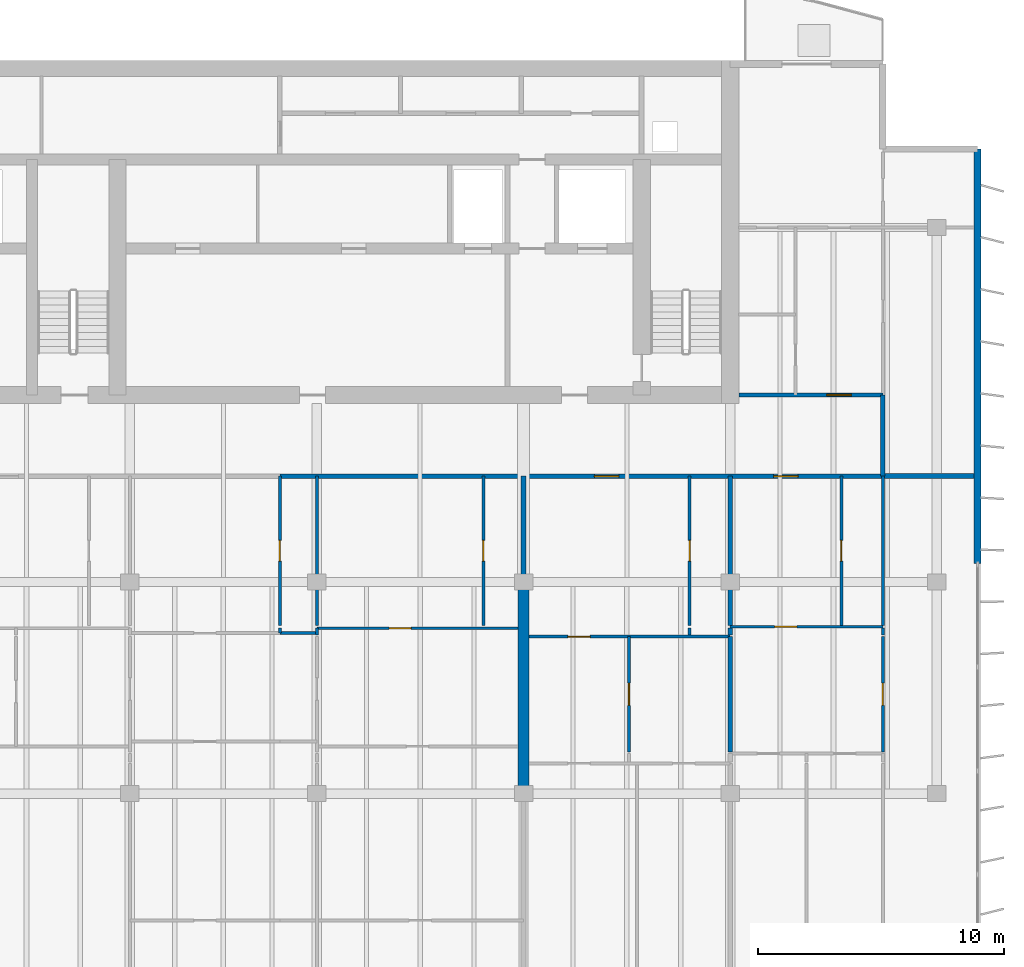
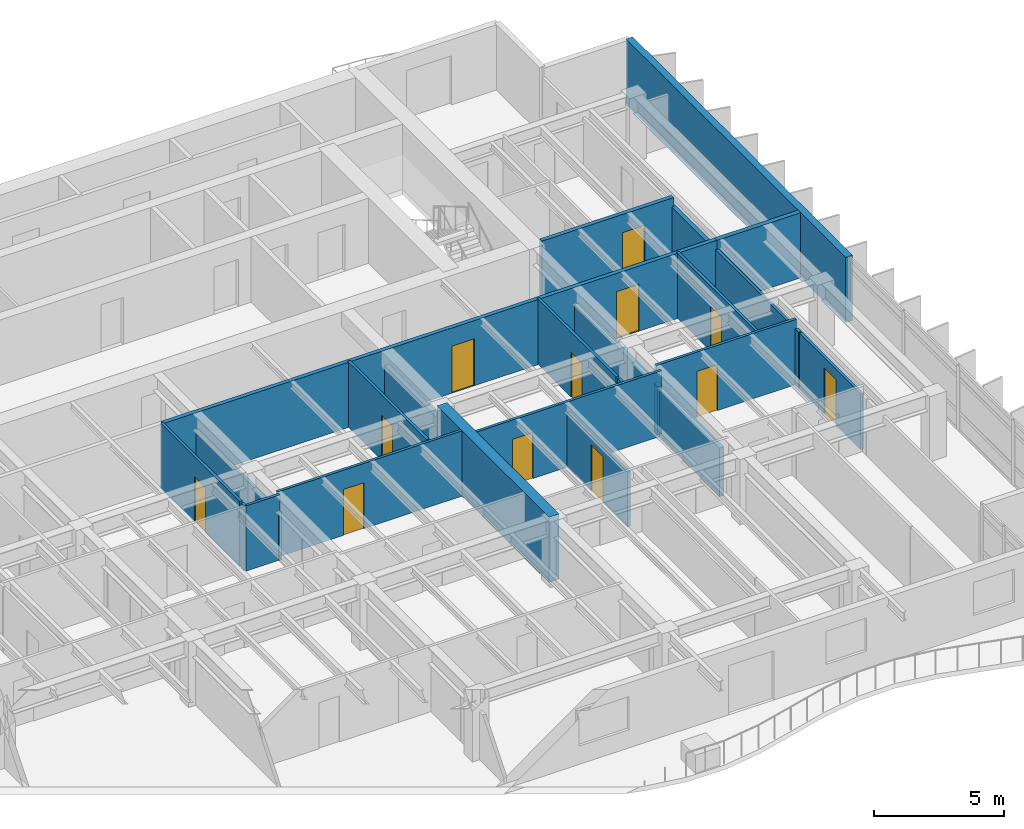
# One storey, part 9 of 17: 26 walls, 12 doors, 12 openings.
"""IFC4 building model written with IfcOpenShell, lengths in metres."""

import ifcopenshell
import ifcopenshell.guid

model = None  # the IFC model being written
_history = None  # IfcOwnerHistory: only IFC2X3 demands one
_inside = {}  # id of a spatial element -> (the spatial element, [elements in it])
_under = {}  # id of a project, library or spatial element -> (it, [spatial elements below it])
_declared = {}  # id of a project -> (the project, [libraries it declares])
_typed = {}  # id of a type object -> (the type object, [elements of that type])
_made_of = {}  # id of a material, layer set ... -> (it, [elements and type objects made of it])


def new_model(schema):
    """Start an empty IFC model of exactly this schema.

    Asked for "IFC4X3", IfcOpenShell would pick the latest addendum, in which some entities
    have other attributes; the version numbers below select the first issue.
    IFC2X3 requires an IfcOwnerHistory on every rooted entity: one is made here for all.
    """
    global model, _history
    if schema == "IFC4X3":
        model = ifcopenshell.file(schema_version=(4, 3, 0, 0))
    else:
        model = ifcopenshell.file(schema=schema)
    _inside.clear()
    _under.clear()
    _declared.clear()
    _typed.clear()
    _made_of.clear()
    _history = None
    if model.schema == "IFC2X3":
        org = make("IfcOrganization", Name="unknown")
        user = make(
            "IfcPersonAndOrganization",
            ThePerson=make("IfcPerson", FamilyName="unknown"),
            TheOrganization=org,
        )
        app = make(
            "IfcApplication",
            ApplicationDeveloper=org,
            Version="unknown",
            ApplicationFullName="unknown",
            ApplicationIdentifier="unknown",
        )
        _history = make(
            "IfcOwnerHistory",
            OwningUser=user,
            OwningApplication=app,
            ChangeAction="ADDED",
            CreationDate=0,
        )
    return model


def make(cls, **values):
    """One entity of the class cls with the attributes given. An attribute that is None is left unset."""
    return model.create_entity(
        cls, **{name: value for name, value in values.items() if value is not None}
    )


def rooted(cls, **values):
    """An entity with a GlobalId (a new one), such as an element, a storey or a relation."""
    return make(cls, GlobalId=ifcopenshell.guid.new(), OwnerHistory=_history, **values)


def si_unit(unit_type, name, prefix=None):
    """IfcSIUnit, for example si_unit("LENGTHUNIT", "METRE", prefix="MILLI")."""
    return make("IfcSIUnit", UnitType=unit_type, Prefix=prefix, Name=name)


def assignment(units):
    """IfcUnitAssignment: the units of a project."""
    return None if units is None else make("IfcUnitAssignment", Units=units)


def point(xyz):
    """IfcCartesianPoint."""
    return None if xyz is None else make("IfcCartesianPoint", Coordinates=xyz)


def direction(xyz):
    """IfcDirection."""
    return None if xyz is None else make("IfcDirection", DirectionRatios=xyz)


def frame(location, z_axis=None, x_axis=None):
    """IfcAxis2Placement3D, a coordinate frame: its origin and axes. An axis left out is left unset."""
    return make(
        "IfcAxis2Placement3D",
        Location=point(location),
        Axis=direction(z_axis),
        RefDirection=direction(x_axis),
    )


def frame_2d(location, x_axis=None):
    """IfcAxis2Placement2D, a coordinate frame in the plane: its origin and x axis."""
    return make(
        "IfcAxis2Placement2D", Location=point(location), RefDirection=direction(x_axis)
    )


def origin():
    """The frame at (0, 0, 0) with its axes left unset."""
    return frame((0.0, 0.0, 0.0))


def place(relative_to, where):
    """IfcLocalPlacement: puts the frame where relative to a parent placement (None: the world)."""
    return make(
        "IfcLocalPlacement", PlacementRelTo=relative_to, RelativePlacement=where
    )


def context(
    kind, dimensions, precision=None, world=None, true_north=None, identifier=None
):
    """IfcGeometricRepresentationContext, for example the 3D "Model" context."""
    return make(
        "IfcGeometricRepresentationContext",
        ContextIdentifier=identifier,
        ContextType=kind,
        CoordinateSpaceDimension=dimensions,
        Precision=precision,
        WorldCoordinateSystem=world,
        TrueNorth=true_north,
    )


def subcontext(parent, identifier, kind, view, scale=None):
    """IfcGeometricRepresentationSubContext, for example "Body" below "Model"."""
    return make(
        "IfcGeometricRepresentationSubContext",
        ContextIdentifier=identifier,
        ContextType=kind,
        ParentContext=parent,
        TargetScale=scale,
        TargetView=view,
    )


def project(units=None, contexts=None):
    """IfcProject with its units and contexts."""
    return rooted(
        "IfcProject",
        Name="project",
        RepresentationContexts=contexts,
        UnitsInContext=assignment(units),
    )


def spatial(cls, under=None, at=None, **own):
    """A site, building, storey or space (cls), placed at a placement, below another one or the project."""
    s = rooted(cls, ObjectPlacement=at, **own)
    if under is not None:
        _under.setdefault(under.id(), (under, []))[1].append(s)
    return s


def profile(cls, at=None, kind="AREA", **sizes):
    """A parametric profile (cls). Its sizes go by their IFC names, for example OverallWidth=200.0."""
    return make(cls, ProfileType=kind, Position=at, **sizes)


def rectangle(**sizes):
    """IfcRectangleProfileDef."""
    return profile("IfcRectangleProfileDef", **sizes)


def extrude(swept, where, along, depth):
    """IfcExtrudedAreaSolid: the profile swept, set in the frame where, extruded along a direction by depth."""
    return make(
        "IfcExtrudedAreaSolid",
        SweptArea=swept,
        Position=where,
        ExtrudedDirection=direction(along),
        Depth=depth,
    )


def shape(context_of_items, identifier, shape_type, items):
    """IfcShapeRepresentation: the items that make up one representation, for example the "Body"."""
    return make(
        "IfcShapeRepresentation",
        ContextOfItems=context_of_items,
        RepresentationIdentifier=identifier,
        RepresentationType=shape_type,
        Items=items,
    )


def material(Name=None, Category=None):
    """IfcMaterial."""
    return make("IfcMaterial", Name=Name, Category=Category)


def layer(
    of_material, thickness, ventilated=None, Name=None, Category=None, Priority=None
):
    """IfcMaterialLayer: one layer of a wall or slab, of a material (None: an air gap)."""
    return make(
        "IfcMaterialLayer",
        Material=of_material,
        LayerThickness=thickness,
        IsVentilated=ventilated,
        Name=Name,
        Category=Category,
        Priority=Priority,
    )


def layer_set(layers, Name=None):
    """IfcMaterialLayerSet."""
    return make("IfcMaterialLayerSet", MaterialLayers=layers, LayerSetName=Name)


def made_of(thing, what):
    """Note that an element or type object is made of a material, layer set ...; save() writes the relation."""
    if what is not None:
        _made_of.setdefault(what.id(), (what, []))[1].append(thing)
    return thing


def type_object(cls, material=None, **own):
    """A type object (cls), such as IfcWallType, which elements share."""
    return made_of(rooted(cls, **own), material)


def element(
    cls,
    number,
    at=None,
    inside=None,
    cuts=None,
    type_object=None,
    material=None,
    context=None,
    identifier="Body",
    shape_type=None,
    held_by="IfcProductDefinitionShape",
    body=None,
    shapes=None,
    **own,
):
    """One element of the class cls, such as IfcWall. Its Tag is "e" and its number.

    at: its placement. inside: the storey or other place that contains it. cuts: it is an
    opening in that element (IfcRelVoidsElement). A single representation is given by context,
    identifier, shape_type and body (its items); several are given by shapes. held_by: the class
    of the entity that holds the representations. save() writes the other relations.
    """
    e = rooted(cls, Tag="e%d" % number, ObjectPlacement=at, **own)
    if body is not None:
        shapes = [shape(context, identifier, shape_type, body)]
    if shapes is not None:
        e.Representation = make(held_by, Representations=shapes)
    if inside is not None:
        _inside.setdefault(inside.id(), (inside, []))[1].append(e)
    if cuts is not None:
        rooted(
            "IfcRelVoidsElement", RelatingBuildingElement=cuts, RelatedOpeningElement=e
        )
    if type_object is not None:
        _typed.setdefault(type_object.id(), (type_object, []))[1].append(e)
    return made_of(e, material)


def fill(opening, filler):
    """IfcRelFillsElement: the door or window that sits in an opening."""
    return rooted(
        "IfcRelFillsElement",
        RelatingOpeningElement=opening,
        RelatedBuildingElement=filler,
    )


def aggregate(whole, parts):
    """IfcRelAggregates: a whole, such as a stair, and the parts it consists of."""
    return rooted("IfcRelAggregates", RelatingObject=whole, RelatedObjects=parts)


def save(model, path):
    """Write the relations noted so far, then the file.

    IfcRelAggregates (storeys below a building ...), IfcRelContainedInSpatialStructure (elements
    in a storey), IfcRelDefinesByType, IfcRelAssociatesMaterial and IfcRelDeclares: one each for
    every whole, place, type object, material and project.
    """
    for whole, parts in _under.values():
        aggregate(whole, parts)
    for where, things in _inside.values():
        rooted(
            "IfcRelContainedInSpatialStructure",
            RelatedElements=things,
            RelatingStructure=where,
        )
    for kind, things in _typed.values():
        rooted("IfcRelDefinesByType", RelatedObjects=things, RelatingType=kind)
    for what, things in _made_of.values():
        rooted("IfcRelAssociatesMaterial", RelatedObjects=things, RelatingMaterial=what)
    for by, libraries in _declared.values():
        rooted("IfcRelDeclares", RelatingContext=by, RelatedDefinitions=libraries)
    model.write(path)


model = new_model("IFC4")

# Units and contexts
model_context = context("Model", 3, precision=1e-05, world=origin(), true_north=direction((0.0, 1.0)))
body_context = subcontext(model_context, "Body", "Model", "MODEL_VIEW")
ifc_project = project(units=[si_unit("LENGTHUNIT", "METRE"), si_unit("AREAUNIT", "SQUARE_METRE"), si_unit("VOLUMEUNIT", "CUBIC_METRE"), si_unit("PLANEANGLEUNIT", "RADIAN"), si_unit("MASSUNIT", "GRAM", prefix="KILO")], contexts=[model_context])

# Site, building, storey
site_placement = place(None, origin())
site = spatial("IfcSite", under=ifc_project, at=site_placement, CompositionType="ELEMENT")
building_placement = place(site_placement, origin())
building = spatial("IfcBuilding", under=site, at=building_placement, Name="Caelmar Bay Residences", CompositionType="ELEMENT")
storey_placement = place(building_placement, frame((0.0, 0.0, 246.300048828125)))
storey = spatial("IfcBuildingStorey", under=building, at=storey_placement, Name="L69", CompositionType="ELEMENT", Elevation=246.300048828125)

# Walls
ifc_material_1 = material(Name="Concrete f'c 55 MPa (8,000 psi)", Category="concrete")
ifc_layer_1 = layer(ifc_material_1, 0.449951171875)
ifc_layer_set_1 = layer_set([ifc_layer_1], Name="Concrete f'c 55 MPa (8,000 psi)")
wall_type_1 = type_object("IfcWallType", Name="SW-XSLB-450", PredefinedType="SHEAR", material=ifc_layer_set_1)
wall_1_placement = place(storey_placement, frame((51.10009765625, 20.800048828125, 0.0), z_axis=(0.0, 0.0, 1.0), x_axis=(0.0, 1.0, 0.0)))
element("IfcWall", 1, at=wall_1_placement, inside=storey, type_object=wall_type_1, Name="L69 Transverse Cross-Slab Shear Wall E8", PredefinedType="SHEAR", context=body_context, shape_type="SweptSolid", body=[
    extrude(rectangle(XDim=8.599853515625, YDim=0.449951171875, at=frame_2d((4.2998046875, 0.0))), origin(), (0.0, 0.0, 1.0), 3.050048828125),
])
ifc_material_2 = material(Name="Double-stud acoustic fire-rated gypsum partition 180 mm")
ifc_layer_2 = layer(ifc_material_2, 0.179931640625)
ifc_layer_set_2 = layer_set([ifc_layer_2], Name="Double-stud acoustic fire-rated gypsum partition 180 mm")
wall_type_2 = type_object("IfcWallType", Name="W-COR-200", PredefinedType="PARTITIONING", material=ifc_layer_set_2)
wall_2_placement = place(storey_placement, frame((65.699951171875, 33.705078125, 0.0), z_axis=(0.0, 0.0, 1.0), x_axis=(0.0, 1.0, 0.0)))
element("IfcWall", 2, at=wall_2_placement, inside=storey, type_object=wall_type_2, Name="L69 Partition Wall V087", PredefinedType="PARTITIONING", context=body_context, shape_type="SweptSolid", body=[
    extrude(rectangle(XDim=3.294921875, YDim=0.179931640625, at=frame_2d((1.6474609375, 0.0))), origin(), (0.0, 0.0, 1.0), 2.62890625),
])

# Wall, openings, doors
wall_3_placement = place(storey_placement, frame((41.199951171875, 33.699951171875, 0.0), z_axis=(0.0, 0.0, 1.0), x_axis=(1.0, 0.0, 0.0)))
wall_3 = element("IfcWall", 3, at=wall_3_placement, inside=storey, type_object=wall_type_2, Name="L69 Partition Wall H112", PredefinedType="PARTITIONING", context=body_context, shape_type="SweptSolid", body=[
    extrude(rectangle(XDim=24.5, YDim=0.179931640625, at=frame_2d((12.25, 0.0))), origin(), (0.0, 0.0, 1.0), 3.050048828125),
])
opening_1_placement = place(wall_3_placement, frame((12.77490234375, 0.0, 0.0)))
opening_1 = element("IfcOpeningElement", 4, at=opening_1_placement, cuts=wall_3, Name="Opening D-L69-149", PredefinedType="OPENING", context=body_context, shape_type="SweptSolid", body=[
    extrude(rectangle(XDim=1.0, YDim=2.199951171875, at=frame_2d((0.5, 1.10009765625))), frame((0.0, 0.099853515625, 0.0), z_axis=(0.0, -1.0, 0.0), x_axis=(1.0, 0.0, 0.0)), (0.0, 0.0, 1.0), 0.199951171875),
])
opening_2_placement = place(wall_3_placement, frame((20.05859375, 0.0, 0.0)))
opening_2 = element("IfcOpeningElement", 5, at=opening_2_placement, cuts=wall_3, Name="Opening D-L69-155", PredefinedType="OPENING", context=body_context, shape_type="SweptSolid", body=[
    extrude(rectangle(XDim=1.0, YDim=2.199951171875, at=frame_2d((0.5, 1.10009765625))), frame((0.0, 0.099853515625, 0.0), z_axis=(0.0, -1.0, 0.0), x_axis=(1.0, 0.0, 0.0)), (0.0, 0.0, 1.0), 0.199951171875),
])
ifc_material_3 = material(Name="Fire-rated steel and walnut architectural door assembly", Category="steel")
ifc_layer_3 = layer(ifc_material_3, 0.050048828125)
ifc_layer_set_3 = layer_set([ifc_layer_3], Name="Fire-rated steel and walnut architectural door assembly")
door_type_1 = type_object("IfcDoorType", Name="D-UNIT-1000", OperationType="NOTDEFINED", PredefinedType="DOOR", material=ifc_layer_set_3)
door_1_placement = place(opening_1_placement, origin())
door_1 = element("IfcDoor", 6, at=door_1_placement, inside=storey, type_object=door_type_1, Name="L69 Residence 04 Apartment Hall Door", OperationType="SINGLE_SWING_RIGHT", OverallHeight=2.199951171875, OverallWidth=1.0, PredefinedType="DOOR", context=body_context, shape_type="SweptSolid", body=[
    extrude(rectangle(XDim=1.0, YDim=2.199951171875, at=frame_2d((0.5, 1.10009765625))), frame((0.0, 0.02490234375, 0.0), z_axis=(0.0, -1.0, 0.0), x_axis=(1.0, 0.0, 0.0)), (0.0, 0.0, 1.0), 0.050048828125),
])
fill(opening_1, door_1)
door_2_placement = place(opening_2_placement, origin())
door_2 = element("IfcDoor", 7, at=door_2_placement, inside=storey, type_object=door_type_1, Name="L69 Residence 05 Apartment Hall Door", OperationType="SINGLE_SWING_RIGHT", OverallHeight=2.199951171875, OverallWidth=1.0, PredefinedType="DOOR", context=body_context, shape_type="SweptSolid", body=[
    extrude(rectangle(XDim=1.0, YDim=2.199951171875, at=frame_2d((0.5, 1.10009765625))), frame((0.0, 0.02490234375, 0.0), z_axis=(0.0, -1.0, 0.0), x_axis=(1.0, 0.0, 0.0)), (0.0, 0.0, 1.0), 0.050048828125),
])
fill(opening_2, door_2)

# Wall, opening, door
wall_4_placement = place(storey_placement, frame((59.85498046875, 37.0, 0.0), z_axis=(0.0, 0.0, 1.0), x_axis=(1.0, 0.0, 0.0)))
wall_4 = element("IfcWall", 8, at=wall_4_placement, inside=storey, type_object=wall_type_2, Name="L69 Partition Wall H116", PredefinedType="PARTITIONING", context=body_context, shape_type="SweptSolid", body=[
    extrude(rectangle(XDim=5.844970703125, YDim=0.179931640625, at=frame_2d((2.92236328125, 0.0))), origin(), (0.0, 0.0, 1.0), 3.050048828125),
])
opening_3_placement = place(wall_4_placement, frame((3.570068359375, 0.0, 0.0)))
opening_3 = element("IfcOpeningElement", 9, at=opening_3_placement, cuts=wall_4, Name="Opening D-L69-168", PredefinedType="OPENING", context=body_context, shape_type="SweptSolid", body=[
    extrude(rectangle(XDim=1.0, YDim=2.199951171875, at=frame_2d((0.5, 1.10009765625))), frame((0.0, 0.099853515625, 0.0), z_axis=(0.0, -1.0, 0.0), x_axis=(1.0, 0.0, 0.0)), (0.0, 0.0, 1.0), 0.199951171875),
])
door_3_placement = place(opening_3_placement, origin())
door_3 = element("IfcDoor", 10, at=door_3_placement, inside=storey, type_object=door_type_1, Name="L69 Residence EA Kitchen Door", OperationType="SINGLE_SWING_LEFT", OverallHeight=2.199951171875, OverallWidth=1.0, PredefinedType="DOOR", context=body_context, shape_type="SweptSolid", body=[
    extrude(rectangle(XDim=1.0, YDim=2.199951171875, at=frame_2d((0.5, 1.10009765625))), frame((0.0, 0.02490234375, 0.0), z_axis=(0.0, -1.0, 0.0), x_axis=(1.0, 0.0, 0.0)), (0.0, 0.0, 1.0), 0.050048828125),
])
fill(opening_3, door_3)

# Walls
ifc_material_4 = material(Name="Precast concrete f'c 40 MPa (6,000 psi)", Category="concrete")
ifc_layer_4 = layer(ifc_material_4, 0.300048828125)
ifc_layer_set_4 = layer_set([ifc_layer_4], Name="Precast concrete f'c 40 MPa (6,000 psi)")
wall_type_3 = type_object("IfcWallType", Name="W-EXT-300", PredefinedType="STANDARD", material=ifc_layer_set_4)
wall_5_placement = place(storey_placement, frame((69.550048828125, 47.0, 0.0), z_axis=(0.0, 0.0, 1.0), x_axis=(0.0, -1.0, 0.0)))
element("IfcWall", 11, at=wall_5_placement, inside=storey, type_object=wall_type_3, Name="L69 East Rear Exterior Wall", PredefinedType="STANDARD", context=body_context, shape_type="SweptSolid", body=[
    extrude(rectangle(XDim=16.85009765625, YDim=0.300048828125, at=frame_2d((8.425048828125, 0.0))), origin(), (0.0, 0.0, 1.0), 3.050048828125),
])
ifc_material_5 = material(Name="Acoustic metal-stud gypsum partition 120 mm")
ifc_layer_5 = layer(ifc_material_5, 0.1201171875)
ifc_layer_set_5 = layer_set([ifc_layer_5], Name="Acoustic metal-stud gypsum partition 120 mm")
wall_type_4 = type_object("IfcWallType", Name="W-PRT-120", PredefinedType="PARTITIONING", material=ifc_layer_set_5)
wall_6_placement = place(storey_placement, frame((41.195068359375, 27.320068359375, 0.0), z_axis=(0.0, 0.0, 1.0), x_axis=(0.0, 1.0, 0.0)))
element("IfcWall", 12, at=wall_6_placement, inside=storey, type_object=wall_type_4, Name="L69 Partition Wall V045", PredefinedType="PARTITIONING", context=body_context, shape_type="SweptSolid", body=[
    extrude(rectangle(XDim=0.199951171875, YDim=0.1201171875, at=frame_2d((0.10009765625, 0.0))), origin(), (0.0, 0.0, 1.0), 3.050048828125),
])

# Wall, opening, door
wall_7_placement = place(storey_placement, frame((41.195068359375, 27.639892578125, 0.0), z_axis=(0.0, 0.0, 1.0), x_axis=(0.0, 1.0, 0.0)))
wall_7 = element("IfcWall", 13, at=wall_7_placement, inside=storey, type_object=wall_type_4, Name="L69 Partition Wall V046", PredefinedType="PARTITIONING", context=body_context, shape_type="SweptSolid", body=[
    extrude(rectangle(XDim=6.06005859375, YDim=0.1201171875, at=frame_2d((3.030029296875, 0.0))), origin(), (0.0, 0.0, 1.0), 3.050048828125),
])
opening_4_placement = place(wall_7_placement, frame((2.60498046875, 0.0, 0.0)))
opening_4 = element("IfcOpeningElement", 14, at=opening_4_placement, cuts=wall_7, Name="Opening D-L69-141", PredefinedType="OPENING", context=body_context, shape_type="SweptSolid", body=[
    extrude(rectangle(XDim=0.85009765625, YDim=2.10009765625, at=frame_2d((0.425048828125, 1.050048828125))), frame((0.0, 0.070068359375, 0.0), z_axis=(0.0, -1.0, 0.0), x_axis=(1.0, 0.0, 0.0)), (0.0, 0.0, 1.0), 0.14013671875),
])
ifc_material_6 = material(Name="Solid walnut timber interior door leaf and frame", Category="wood")
ifc_layer_6 = layer(ifc_material_6, 0.050048828125)
ifc_layer_set_6 = layer_set([ifc_layer_6], Name="Solid walnut timber interior door leaf and frame")
door_type_2 = type_object("IfcDoorType", Name="D-BATH-850", OperationType="NOTDEFINED", PredefinedType="DOOR", material=ifc_layer_set_6)
door_4_placement = place(opening_4_placement, origin())
door_4 = element("IfcDoor", 15, at=door_4_placement, inside=storey, type_object=door_type_2, Name="L69 Residence 03 En-Suite Bathroom 1 Door", OperationType="SINGLE_SWING_RIGHT", OverallHeight=2.10009765625, OverallWidth=0.85009765625, PredefinedType="DOOR", context=body_context, shape_type="SweptSolid", body=[
    extrude(rectangle(XDim=0.85009765625, YDim=2.10009765625, at=frame_2d((0.425048828125, 1.050048828125))), frame((0.0, 0.02490234375, 0.0), z_axis=(0.0, -1.0, 0.0), x_axis=(1.0, 0.0, 0.0)), (0.0, 0.0, 1.0), 0.050048828125),
])
fill(opening_4, door_4)

# Walls
wall_8_placement = place(storey_placement, frame((42.699951171875, 27.239990234375, 0.0), z_axis=(0.0, 0.0, 1.0), x_axis=(0.0, 1.0, 0.0)))
element("IfcWall", 16, at=wall_8_placement, inside=storey, type_object=wall_type_4, Name="L69 Partition Wall V052", PredefinedType="PARTITIONING", context=body_context, shape_type="SweptSolid", body=[
    extrude(rectangle(XDim=0.280029296875, YDim=0.1201171875, at=frame_2d((0.14013671875, 0.0))), origin(), (0.0, 0.0, 1.0), 2.262939453125),
])
wall_9_placement = place(storey_placement, frame((42.699951171875, 27.639892578125, 0.0), z_axis=(0.0, 0.0, 1.0), x_axis=(0.0, 1.0, 0.0)))
element("IfcWall", 17, at=wall_9_placement, inside=storey, type_object=wall_type_4, Name="L69 Partition Wall V053", PredefinedType="PARTITIONING", context=body_context, shape_type="SweptSolid", body=[
    extrude(rectangle(XDim=6.06005859375, YDim=0.1201171875, at=frame_2d((3.030029296875, 0.0))), origin(), (0.0, 0.0, 1.0), 2.262939453125),
])

# Wall, opening, door
wall_10_placement = place(storey_placement, frame((49.466064453125, 27.639892578125, 0.0), z_axis=(0.0, 0.0, 1.0), x_axis=(0.0, 1.0, 0.0)))
wall_10 = element("IfcWall", 18, at=wall_10_placement, inside=storey, type_object=wall_type_4, Name="L69 Partition Wall V056", PredefinedType="PARTITIONING", context=body_context, shape_type="SweptSolid", body=[
    extrude(rectangle(XDim=6.06005859375, YDim=0.1201171875, at=frame_2d((3.030029296875, 0.0))), origin(), (0.0, 0.0, 1.0), 3.050048828125),
])
opening_5_placement = place(wall_10_placement, frame((2.60498046875, 0.0, 0.0)))
opening_5 = element("IfcOpeningElement", 19, at=opening_5_placement, cuts=wall_10, Name="Opening D-L69-146", PredefinedType="OPENING", context=body_context, shape_type="SweptSolid", body=[
    extrude(rectangle(XDim=0.85009765625, YDim=2.10009765625, at=frame_2d((0.425048828125, 1.050048828125))), frame((0.0, 0.070068359375, 0.0), z_axis=(0.0, -1.0, 0.0), x_axis=(1.0, 0.0, 0.0)), (0.0, 0.0, 1.0), 0.14013671875),
])
door_5_placement = place(opening_5_placement, origin())
door_5 = element("IfcDoor", 20, at=door_5_placement, inside=storey, type_object=door_type_2, Name="L69 Residence 03 En-Suite Bathroom 2 Door", OperationType="SINGLE_SWING_LEFT", OverallHeight=2.10009765625, OverallWidth=0.85009765625, PredefinedType="DOOR", context=body_context, shape_type="SweptSolid", body=[
    extrude(rectangle(XDim=0.85009765625, YDim=2.10009765625, at=frame_2d((0.425048828125, 1.050048828125))), frame((0.0, 0.02490234375, 0.0), z_axis=(0.0, -1.0, 0.0), x_axis=(1.0, 0.0, 0.0)), (0.0, 0.0, 1.0), 0.050048828125),
])
fill(opening_5, door_5)

wall_11_placement = place(storey_placement, frame((55.385986328125, 22.489990234375, 0.0), z_axis=(0.0, 0.0, 1.0), x_axis=(0.0, 1.0, 0.0)))
wall_11 = element("IfcWall", 21, at=wall_11_placement, inside=storey, type_object=wall_type_4, Name="L69 Partition Wall V065", PredefinedType="PARTITIONING", context=body_context, shape_type="SweptSolid", body=[
    extrude(rectangle(XDim=4.68994140625, YDim=0.1201171875, at=frame_2d((2.344970703125, 0.0))), origin(), (0.0, 0.0, 1.0), 2.577880859375),
])
opening_6_placement = place(wall_11_placement, frame((1.89501953125, 0.0, 0.0)))
opening_6 = element("IfcOpeningElement", 22, at=opening_6_placement, cuts=wall_11, Name="Opening D-L69-152", PredefinedType="OPENING", context=body_context, shape_type="SweptSolid", body=[
    extrude(rectangle(XDim=0.89990234375, YDim=2.14990234375, at=frame_2d((0.449951171875, 1.074951171875))), frame((0.0, 0.070068359375, 0.0), z_axis=(0.0, -1.0, 0.0), x_axis=(1.0, 0.0, 0.0)), (0.0, 0.0, 1.0), 0.14013671875),
])
ifc_layer_7 = layer(ifc_material_6, 0.050048828125)
ifc_layer_set_7 = layer_set([ifc_layer_7], Name="Solid walnut timber interior door leaf and frame")
door_type_3 = type_object("IfcDoorType", Name="D-ROOM-900", OperationType="NOTDEFINED", PredefinedType="DOOR", material=ifc_layer_set_7)
door_6_placement = place(opening_6_placement, origin())
door_6 = element("IfcDoor", 23, at=door_6_placement, inside=storey, type_object=door_type_3, Name="L69 Residence 04 Formal Dining Room Door", OperationType="SINGLE_SWING_LEFT", OverallHeight=2.14990234375, OverallWidth=0.89990234375, PredefinedType="DOOR", context=body_context, shape_type="SweptSolid", body=[
    extrude(rectangle(XDim=0.89990234375, YDim=2.14990234375, at=frame_2d((0.449951171875, 1.074951171875))), frame((0.0, 0.02490234375, 0.0), z_axis=(0.0, -1.0, 0.0), x_axis=(1.0, 0.0, 0.0)), (0.0, 0.0, 1.0), 0.050048828125),
])
fill(opening_6, door_6)

# Wall
wall_12_placement = place(storey_placement, frame((57.85009765625, 27.239990234375, 0.0), z_axis=(0.0, 0.0, 1.0), x_axis=(0.0, 1.0, 0.0)))
element("IfcWall", 24, at=wall_12_placement, inside=storey, type_object=wall_type_4, Name="L69 Partition Wall V069", PredefinedType="PARTITIONING", context=body_context, shape_type="SweptSolid", body=[
    extrude(rectangle(XDim=0.280029296875, YDim=0.1201171875, at=frame_2d((0.14013671875, 0.0))), origin(), (0.0, 0.0, 1.0), 3.050048828125),
])

# Wall, opening, door
wall_13_placement = place(storey_placement, frame((57.85009765625, 27.639892578125, 0.0), z_axis=(0.0, 0.0, 1.0), x_axis=(0.0, 1.0, 0.0)))
wall_13 = element("IfcWall", 25, at=wall_13_placement, inside=storey, type_object=wall_type_4, Name="L69 Partition Wall V070", PredefinedType="PARTITIONING", context=body_context, shape_type="SweptSolid", body=[
    extrude(rectangle(XDim=6.06005859375, YDim=0.1201171875, at=frame_2d((3.030029296875, 0.0))), origin(), (0.0, 0.0, 1.0), 3.050048828125),
])
opening_7_placement = place(wall_13_placement, frame((2.60498046875, 0.0, 0.0)))
opening_7 = element("IfcOpeningElement", 26, at=opening_7_placement, cuts=wall_13, Name="Opening D-L69-150", PredefinedType="OPENING", context=body_context, shape_type="SweptSolid", body=[
    extrude(rectangle(XDim=0.85009765625, YDim=2.10009765625, at=frame_2d((0.425048828125, 1.050048828125))), frame((0.0, 0.070068359375, 0.0), z_axis=(0.0, -1.0, 0.0), x_axis=(1.0, 0.0, 0.0)), (0.0, 0.0, 1.0), 0.14013671875),
])
door_7_placement = place(opening_7_placement, origin())
door_7 = element("IfcDoor", 27, at=door_7_placement, inside=storey, type_object=door_type_2, Name="L69 Residence 04 Bathroom Door", OperationType="SINGLE_SWING_LEFT", OverallHeight=2.10009765625, OverallWidth=0.85009765625, PredefinedType="DOOR", context=body_context, shape_type="SweptSolid", body=[
    extrude(rectangle(XDim=0.85009765625, YDim=2.10009765625, at=frame_2d((0.425048828125, 1.050048828125))), frame((0.0, 0.02490234375, 0.0), z_axis=(0.0, -1.0, 0.0), x_axis=(1.0, 0.0, 0.0)), (0.0, 0.0, 1.0), 0.050048828125),
])
fill(opening_7, door_7)

wall_14_placement = place(storey_placement, frame((64.01708984375, 27.639892578125, 0.0), z_axis=(0.0, 0.0, 1.0), x_axis=(0.0, 1.0, 0.0)))
wall_14 = element("IfcWall", 28, at=wall_14_placement, inside=storey, type_object=wall_type_4, Name="L69 Partition Wall V081", PredefinedType="PARTITIONING", context=body_context, shape_type="SweptSolid", body=[
    extrude(rectangle(XDim=6.06005859375, YDim=0.1201171875, at=frame_2d((3.030029296875, 0.0))), origin(), (0.0, 0.0, 1.0), 3.050048828125),
])
opening_8_placement = place(wall_14_placement, frame((2.60498046875, 0.0, 0.0)))
opening_8 = element("IfcOpeningElement", 29, at=opening_8_placement, cuts=wall_14, Name="Opening D-L69-156", PredefinedType="OPENING", context=body_context, shape_type="SweptSolid", body=[
    extrude(rectangle(XDim=0.85009765625, YDim=2.10009765625, at=frame_2d((0.425048828125, 1.050048828125))), frame((0.0, 0.070068359375, 0.0), z_axis=(0.0, -1.0, 0.0), x_axis=(1.0, 0.0, 0.0)), (0.0, 0.0, 1.0), 0.14013671875),
])
door_8_placement = place(opening_8_placement, origin())
door_8 = element("IfcDoor", 30, at=door_8_placement, inside=storey, type_object=door_type_2, Name="L69 Residence 05 Bathroom Door", OperationType="SINGLE_SWING_LEFT", OverallHeight=2.10009765625, OverallWidth=0.85009765625, PredefinedType="DOOR", context=body_context, shape_type="SweptSolid", body=[
    extrude(rectangle(XDim=0.85009765625, YDim=2.10009765625, at=frame_2d((0.425048828125, 1.050048828125))), frame((0.0, 0.02490234375, 0.0), z_axis=(0.0, -1.0, 0.0), x_axis=(1.0, 0.0, 0.0)), (0.0, 0.0, 1.0), 0.050048828125),
])
fill(opening_8, door_8)

wall_15_placement = place(storey_placement, frame((65.699951171875, 22.489990234375, 0.0), z_axis=(0.0, 0.0, 1.0), x_axis=(0.0, 1.0, 0.0)))
wall_15 = element("IfcWall", 31, at=wall_15_placement, inside=storey, type_object=wall_type_4, Name="L69 Partition Wall V084", PredefinedType="PARTITIONING", context=body_context, shape_type="SweptSolid", body=[
    extrude(rectangle(XDim=4.68994140625, YDim=0.1201171875, at=frame_2d((2.344970703125, 0.0))), origin(), (0.0, 0.0, 1.0), 2.62890625),
])
opening_9_placement = place(wall_15_placement, frame((1.89501953125, 0.0, 0.0)))
opening_9 = element("IfcOpeningElement", 32, at=opening_9_placement, cuts=wall_15, Name="Opening D-L69-161", PredefinedType="OPENING", context=body_context, shape_type="SweptSolid", body=[
    extrude(rectangle(XDim=0.89990234375, YDim=2.14990234375, at=frame_2d((0.449951171875, 1.074951171875))), frame((0.0, 0.070068359375, 0.0), z_axis=(0.0, -1.0, 0.0), x_axis=(1.0, 0.0, 0.0)), (0.0, 0.0, 1.0), 0.14013671875),
])
door_9_placement = place(opening_9_placement, origin())
door_9 = element("IfcDoor", 33, at=door_9_placement, inside=storey, type_object=door_type_3, Name="L69 Residence 05 Penthouse East Salon Door", OperationType="SINGLE_SWING_RIGHT", OverallHeight=2.14990234375, OverallWidth=0.89990234375, PredefinedType="DOOR", context=body_context, shape_type="SweptSolid", body=[
    extrude(rectangle(XDim=0.89990234375, YDim=2.14990234375, at=frame_2d((0.449951171875, 1.074951171875))), frame((0.0, 0.02490234375, 0.0), z_axis=(0.0, -1.0, 0.0), x_axis=(1.0, 0.0, 0.0)), (0.0, 0.0, 1.0), 0.050048828125),
])
fill(opening_9, door_9)

# Walls
wall_16_placement = place(storey_placement, frame((65.699951171875, 27.239990234375, 0.0), z_axis=(0.0, 0.0, 1.0), x_axis=(0.0, 1.0, 0.0)))
element("IfcWall", 34, at=wall_16_placement, inside=storey, type_object=wall_type_4, Name="L69 Partition Wall V085", PredefinedType="PARTITIONING", context=body_context, shape_type="SweptSolid", body=[
    extrude(rectangle(XDim=0.280029296875, YDim=0.1201171875, at=frame_2d((0.14013671875, 0.0))), origin(), (0.0, 0.0, 1.0), 2.62890625),
])
wall_17_placement = place(storey_placement, frame((65.699951171875, 27.639892578125, 0.0), z_axis=(0.0, 0.0, 1.0), x_axis=(0.0, 1.0, 0.0)))
element("IfcWall", 35, at=wall_17_placement, inside=storey, type_object=wall_type_4, Name="L69 Partition Wall V086", PredefinedType="PARTITIONING", context=body_context, shape_type="SweptSolid", body=[
    extrude(rectangle(XDim=6.06005859375, YDim=0.1201171875, at=frame_2d((3.030029296875, 0.0))), origin(), (0.0, 0.0, 1.0), 2.62890625),
])

# Wall, opening, door
wall_18_placement = place(storey_placement, frame((51.320068359375, 27.179931640625, 0.0), z_axis=(0.0, 0.0, 1.0), x_axis=(1.0, 0.0, 0.0)))
wall_18 = element("IfcWall", 36, at=wall_18_placement, inside=storey, type_object=wall_type_4, Name="L69 Partition Wall H100", PredefinedType="PARTITIONING", context=body_context, shape_type="SweptSolid", body=[
    extrude(rectangle(XDim=8.179931640625, YDim=0.1201171875, at=frame_2d((4.08984375, 0.0))), origin(), (0.0, 0.0, 1.0), 3.050048828125),
])
opening_10_placement = place(wall_18_placement, frame((1.5830078125, 0.0, 0.0)))
opening_10 = element("IfcOpeningElement", 37, at=opening_10_placement, cuts=wall_18, Name="Opening D-L69-151", PredefinedType="OPENING", context=body_context, shape_type="SweptSolid", body=[
    extrude(rectangle(XDim=0.89990234375, YDim=2.14990234375, at=frame_2d((0.449951171875, 1.074951171875))), frame((0.0, 0.070068359375, 0.0), z_axis=(0.0, -1.0, 0.0), x_axis=(1.0, 0.0, 0.0)), (0.0, 0.0, 1.0), 0.14013671875),
])
door_10_placement = place(opening_10_placement, origin())
door_10 = element("IfcDoor", 38, at=door_10_placement, inside=storey, type_object=door_type_3, Name="L69 Residence 04 Kitchen Door", OperationType="SINGLE_SWING_RIGHT", OverallHeight=2.14990234375, OverallWidth=0.89990234375, PredefinedType="DOOR", context=body_context, shape_type="SweptSolid", body=[
    extrude(rectangle(XDim=0.89990234375, YDim=2.14990234375, at=frame_2d((0.449951171875, 1.074951171875))), frame((0.0, 0.02490234375, 0.0), z_axis=(0.0, -1.0, 0.0), x_axis=(1.0, 0.0, 0.0)), (0.0, 0.0, 1.0), 0.050048828125),
])
fill(opening_10, door_10)

# Wall
wall_19_placement = place(storey_placement, frame((41.199951171875, 27.320068359375, 0.0), z_axis=(0.0, 0.0, 1.0), x_axis=(1.0, 0.0, 0.0)))
element("IfcWall", 39, at=wall_19_placement, inside=storey, type_object=wall_type_4, Name="L69 Partition Wall H103", PredefinedType="PARTITIONING", context=body_context, shape_type="SweptSolid", body=[
    extrude(rectangle(XDim=1.5, YDim=0.1201171875, at=frame_2d((0.75, 0.0))), origin(), (0.0, 0.0, 1.0), 3.050048828125),
])

# Wall, opening, door
wall_20_placement = place(storey_placement, frame((42.705078125, 27.52001953125, 0.0), z_axis=(0.0, 0.0, 1.0), x_axis=(1.0, 0.0, 0.0)))
wall_20 = element("IfcWall", 40, at=wall_20_placement, inside=storey, type_object=wall_type_4, Name="L69 Partition Wall H105", PredefinedType="PARTITIONING", context=body_context, shape_type="SweptSolid", body=[
    extrude(rectangle(XDim=8.1748046875, YDim=0.1201171875, at=frame_2d((4.08740234375, 0.0))), origin(), (0.0, 0.0, 1.0), 3.050048828125),
])
opening_11_placement = place(wall_20_placement, frame((2.930419921875, 0.0, 0.0)))
opening_11 = element("IfcOpeningElement", 41, at=opening_11_placement, cuts=wall_20, Name="Opening D-L69-145", PredefinedType="OPENING", context=body_context, shape_type="SweptSolid", body=[
    extrude(rectangle(XDim=0.89990234375, YDim=2.14990234375, at=frame_2d((0.449951171875, 1.074951171875))), frame((0.0, 0.070068359375, 0.0), z_axis=(0.0, -1.0, 0.0), x_axis=(1.0, 0.0, 0.0)), (0.0, 0.0, 1.0), 0.14013671875),
])
door_11_placement = place(opening_11_placement, origin())
door_11 = element("IfcDoor", 42, at=door_11_placement, inside=storey, type_object=door_type_3, Name="L69 Residence 03 Breakfast Dining Room 2 Door", OperationType="SINGLE_SWING_RIGHT", OverallHeight=2.14990234375, OverallWidth=0.89990234375, PredefinedType="DOOR", context=body_context, shape_type="SweptSolid", body=[
    extrude(rectangle(XDim=0.89990234375, YDim=2.14990234375, at=frame_2d((0.449951171875, 1.074951171875))), frame((0.0, 0.02490234375, 0.0), z_axis=(0.0, -1.0, 0.0), x_axis=(1.0, 0.0, 0.0)), (0.0, 0.0, 1.0), 0.050048828125),
])
fill(opening_11, door_11)

wall_21_placement = place(storey_placement, frame((59.5, 27.580078125, 0.0), z_axis=(0.0, 0.0, 1.0), x_axis=(1.0, 0.0, 0.0)))
wall_21 = element("IfcWall", 43, at=wall_21_placement, inside=storey, type_object=wall_type_4, Name="L69 Partition Wall H106", PredefinedType="PARTITIONING", context=body_context, shape_type="SweptSolid", body=[
    extrude(rectangle(XDim=6.199951171875, YDim=0.1201171875, at=frame_2d((3.10009765625, 0.0))), origin(), (0.0, 0.0, 1.0), 3.050048828125),
])
opening_12_placement = place(wall_21_placement, frame((1.80859375, 0.0, 0.0)))
opening_12 = element("IfcOpeningElement", 44, at=opening_12_placement, cuts=wall_21, Name="Opening D-L69-157", PredefinedType="OPENING", context=body_context, shape_type="SweptSolid", body=[
    extrude(rectangle(XDim=0.89990234375, YDim=2.14990234375, at=frame_2d((0.449951171875, 1.074951171875))), frame((0.0, 0.070068359375, 0.0), z_axis=(0.0, -1.0, 0.0), x_axis=(1.0, 0.0, 0.0)), (0.0, 0.0, 1.0), 0.14013671875),
])
door_12_placement = place(opening_12_placement, origin())
door_12 = element("IfcDoor", 45, at=door_12_placement, inside=storey, type_object=door_type_3, Name="L69 Residence 05 Kitchen Door", OperationType="SINGLE_SWING_RIGHT", OverallHeight=2.14990234375, OverallWidth=0.89990234375, PredefinedType="DOOR", context=body_context, shape_type="SweptSolid", body=[
    extrude(rectangle(XDim=0.89990234375, YDim=2.14990234375, at=frame_2d((0.449951171875, 1.074951171875))), frame((0.0, 0.02490234375, 0.0), z_axis=(0.0, -1.0, 0.0), x_axis=(1.0, 0.0, 0.0)), (0.0, 0.0, 1.0), 0.050048828125),
])
fill(opening_12, door_12)

# Walls
ifc_material_7 = material(Name="Acoustic twin-stud fire-rated inter-tenancy partition 200 mm")
ifc_layer_8 = layer(ifc_material_7, 0.199951171875)
ifc_layer_set_8 = layer_set([ifc_layer_8], Name="Acoustic twin-stud fire-rated inter-tenancy partition 200 mm")
wall_type_5 = type_object("IfcWallType", Name="W-PTY-200", PredefinedType="PARTITIONING", material=ifc_layer_set_8)
wall_22_placement = place(storey_placement, frame((51.10009765625, 29.405029296875, 0.0), z_axis=(0.0, 0.0, 1.0), x_axis=(0.0, 1.0, 0.0)))
element("IfcWall", 46, at=wall_22_placement, inside=storey, type_object=wall_type_5, Name="L69 Partition Wall V062", PredefinedType="PARTITIONING", context=body_context, shape_type="SweptSolid", body=[
    extrude(rectangle(XDim=4.294921875, YDim=0.199951171875, at=frame_2d((2.1474609375, 0.0))), origin(), (0.0, 0.0, 1.0), 2.3349609375),
])
wall_23_placement = place(storey_placement, frame((59.5, 22.489990234375, 0.0), z_axis=(0.0, 0.0, 1.0), x_axis=(0.0, 1.0, 0.0)))
element("IfcWall", 47, at=wall_23_placement, inside=storey, type_object=wall_type_5, Name="L69 Partition Wall V074", PredefinedType="PARTITIONING", context=body_context, shape_type="SweptSolid", body=[
    extrude(rectangle(XDim=4.68994140625, YDim=0.199951171875, at=frame_2d((2.344970703125, 0.0))), origin(), (0.0, 0.0, 1.0), 2.262939453125),
])
wall_24_placement = place(storey_placement, frame((59.5, 27.239990234375, 0.0), z_axis=(0.0, 0.0, 1.0), x_axis=(0.0, 1.0, 0.0)))
element("IfcWall", 48, at=wall_24_placement, inside=storey, type_object=wall_type_5, Name="L69 Partition Wall V075", PredefinedType="PARTITIONING", context=body_context, shape_type="SweptSolid", body=[
    extrude(rectangle(XDim=0.280029296875, YDim=0.199951171875, at=frame_2d((0.14013671875, 0.0))), origin(), (0.0, 0.0, 1.0), 2.262939453125),
])
wall_25_placement = place(storey_placement, frame((59.5, 27.639892578125, 0.0), z_axis=(0.0, 0.0, 1.0), x_axis=(0.0, 1.0, 0.0)))
element("IfcWall", 49, at=wall_25_placement, inside=storey, type_object=wall_type_5, Name="L69 Partition Wall V076", PredefinedType="PARTITIONING", context=body_context, shape_type="SweptSolid", body=[
    extrude(rectangle(XDim=6.06005859375, YDim=0.199951171875, at=frame_2d((3.030029296875, 0.0))), origin(), (0.0, 0.0, 1.0), 2.262939453125),
])
wall_26_placement = place(storey_placement, frame((65.705078125, 33.699951171875, 0.0), z_axis=(0.0, 0.0, 1.0), x_axis=(1.0, 0.0, 0.0)))
element("IfcWall", 50, at=wall_26_placement, inside=storey, type_object=wall_type_5, Name="L69 Partition Wall H113", PredefinedType="PARTITIONING", context=body_context, shape_type="SweptSolid", body=[
    extrude(rectangle(XDim=3.699951171875, YDim=0.199951171875, at=frame_2d((1.85009765625, 0.0))), origin(), (0.0, 0.0, 1.0), 3.050048828125),
])

save(model, "model.ifc")
